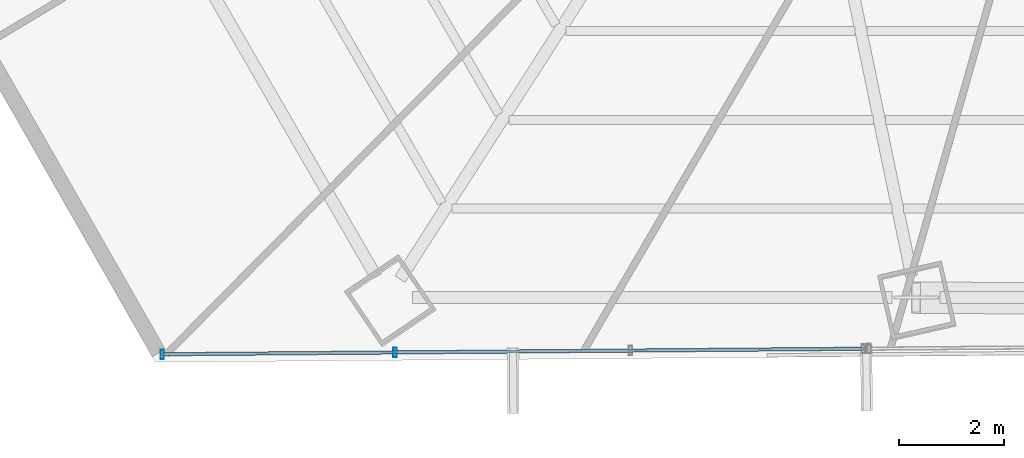
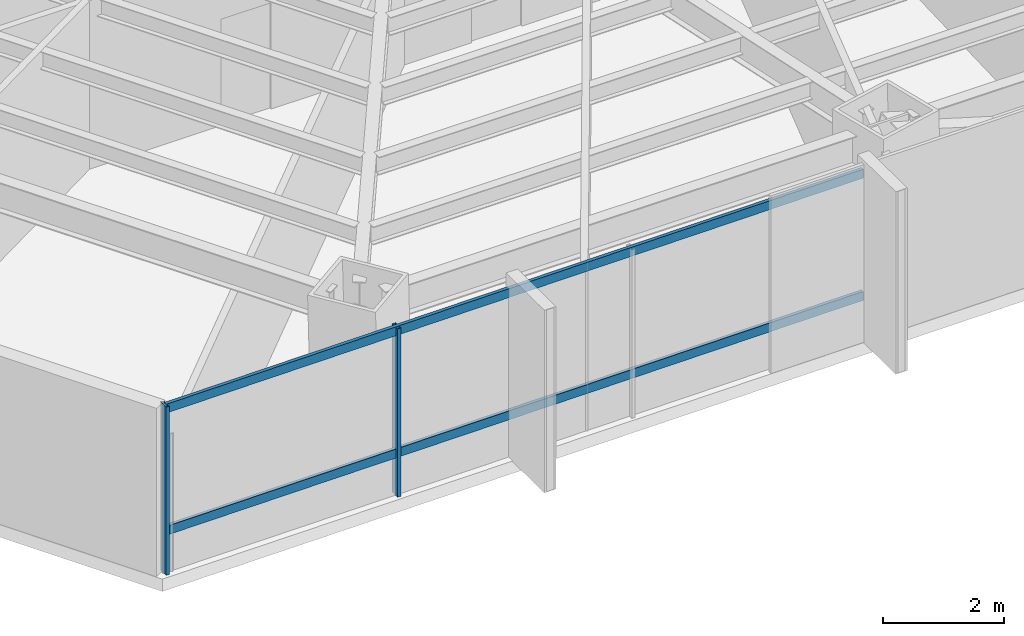
# One storey, part 4 of 36: 4 members, 1 element without a shape of its own.
"""IFC4 building model written with IfcOpenShell, lengths in metres."""

from ifc_helpers import new_model, si_unit, direction, frame, origin, origin_2d, place, context, subcontext, project, spatial, hollow_rectangle, extrude, source, transform, mapped, material, material_profile, profile_set, type_object, type_shapes, element, aggregate, save


model = new_model("IFC4")

# Units and contexts
model_context = context("Model", 3, precision=1e-05, world=origin(), true_north=direction((0.0, 1.0)))
body_context = subcontext(model_context, "Body", "Model", "MODEL_VIEW")
ifc_project = project(units=[si_unit("LENGTHUNIT", "METRE"), si_unit("AREAUNIT", "SQUARE_METRE"), si_unit("VOLUMEUNIT", "CUBIC_METRE"), si_unit("PLANEANGLEUNIT", "RADIAN"), si_unit("MASSUNIT", "GRAM", prefix="KILO")], contexts=[model_context])

# Site, building, storey
site_placement = place(None, origin())
site = spatial("IfcSite", under=ifc_project, at=site_placement, CompositionType="ELEMENT")
building_placement = place(site_placement, origin())
building = spatial("IfcBuilding", under=site, at=building_placement, Name="Caelisora Broadcast Tower", CompositionType="ELEMENT")
storey_placement = place(building_placement, frame((0.0, 0.0, 60.449951171875)))
storey = spatial("IfcBuildingStorey", under=building, at=storey_placement, Name="L15", CompositionType="ELEMENT", Elevation=60.449951171875)

# Curtain wall, members
ifc_material_1 = material(Name="Unitised Aluminium and Low-E Glass Curtain Wall", Category="glass")
curtain_wall_type = type_object("IfcCurtainWallType", Name="CW-Z1", PredefinedType="NOTDEFINED", material=ifc_material_1)
curtain_wall_placement = place(storey_placement, origin())
curtain_wall = element("IfcCurtainWall", 1, at=curtain_wall_placement, inside=storey, type_object=curtain_wall_type, Name="L15 curtain wall CW-Z1", PredefinedType="NOTDEFINED")
ifc_material_2 = material(Name="Aluminium 6063-T6 Anodised Terracotta Bronze", Category="aluminium")
ifc_material_profile_1 = material_profile(ifc_material_2, hollow_rectangle(XDim=0.06494140625, YDim=0.179931640625, WallThickness=0.00341796875, at=origin_2d()), Name="Aluminium 6063-T6 Anodised Terracotta Bronze")
ifc_profile_set_1 = profile_set([ifc_material_profile_1], Name="Aluminium 6063-T6 Anodised Terracotta Bronze")
member_type_1 = type_object("IfcMemberType", Name="CWM-02", PredefinedType="MULLION", material=ifc_profile_set_1)
shared_shape_1 = source(origin(), body_context, "Body", "SweptSolid", [
    extrude(hollow_rectangle(XDim=0.06494140625, YDim=0.179931640625, WallThickness=0.00341796875, at=origin_2d()), origin(), (0.0, 0.0, 1.0), 3.400146484375),
])
type_shapes(member_type_1, [shared_shape_1])
member_1_placement = place(storey_placement, frame((23.0087890625, 4.474853515625, 0.0), z_axis=(0.0, 0.0, 1.0), x_axis=(1.0, 0.0, 0.0)))
member_1 = element("IfcMember", 2, at=member_1_placement, type_object=member_type_1, Name="L15-CW-B07 mullion #2", PredefinedType="MULLION", context=body_context, shape_type="MappedRepresentation", body=[
    mapped(shared_shape_1, transform((0.0, 0.0, 0.0), scale=1.0)),
])
member_2_placement = place(storey_placement, frame((18.56201171875, 4.439453125, 0.0), z_axis=(0.0, 0.0, 1.0), x_axis=(1.0, 0.0, 0.0)))
member_2 = element("IfcMember", 3, at=member_2_placement, type_object=member_type_1, Name="L15-CW-B07 mullion #3", PredefinedType="MULLION", context=body_context, shape_type="MappedRepresentation", body=[
    mapped(shared_shape_1, transform((0.0, 0.0, 0.0), scale=1.0)),
])
ifc_material_profile_2 = material_profile(ifc_material_2, hollow_rectangle(XDim=0.06494140625, YDim=0.179931640625, WallThickness=0.00341796875, at=origin_2d()), Name="Aluminium 6063-T6 Anodised Terracotta Bronze")
ifc_profile_set_2 = profile_set([ifc_material_profile_2], Name="Aluminium 6063-T6 Anodised Terracotta Bronze")
member_type_2 = type_object("IfcMemberType", Name="CWT-01", PredefinedType="USERDEFINED", material=ifc_profile_set_2)
shared_shape_2 = source(origin(), body_context, "Body", "SweptSolid", [
    extrude(hollow_rectangle(XDim=0.06494140625, YDim=0.179931640625, WallThickness=0.00341796875, at=origin_2d()), origin(), (0.0, 0.0, 1.0), 13.390869140625),
])
type_shapes(member_type_2, [shared_shape_2])
member_3_placement = place(storey_placement, frame((31.952392578125, 4.5458984375, 0.85009765625), z_axis=(-0.999968405125, -0.007949135315, 0.0), x_axis=(0.007949135315, -0.999968405125, 0.0)))
member_3 = element("IfcMember", 4, at=member_3_placement, type_object=member_type_2, Name="L15-CW-B07 transom #1", ObjectType="TRANSOM", PredefinedType="USERDEFINED", context=body_context, shape_type="MappedRepresentation", body=[
    mapped(shared_shape_2, transform((0.0, 0.0, 0.0), scale=1.0)),
])
member_4_placement = place(storey_placement, frame((31.952392578125, 4.5458984375, 3.320068359375), z_axis=(-0.999968405125, -0.007949135315, 0.0), x_axis=(0.007949135315, -0.999968405125, 0.0)))
member_4 = element("IfcMember", 5, at=member_4_placement, type_object=member_type_2, Name="L15-CW-B07 transom #2", ObjectType="TRANSOM", PredefinedType="USERDEFINED", context=body_context, shape_type="MappedRepresentation", body=[
    mapped(shared_shape_2, transform((0.0, 0.0, 0.0), scale=1.0)),
])
aggregate(curtain_wall, [member_1, member_2, member_3, member_4])

save(model, "model.ifc")
